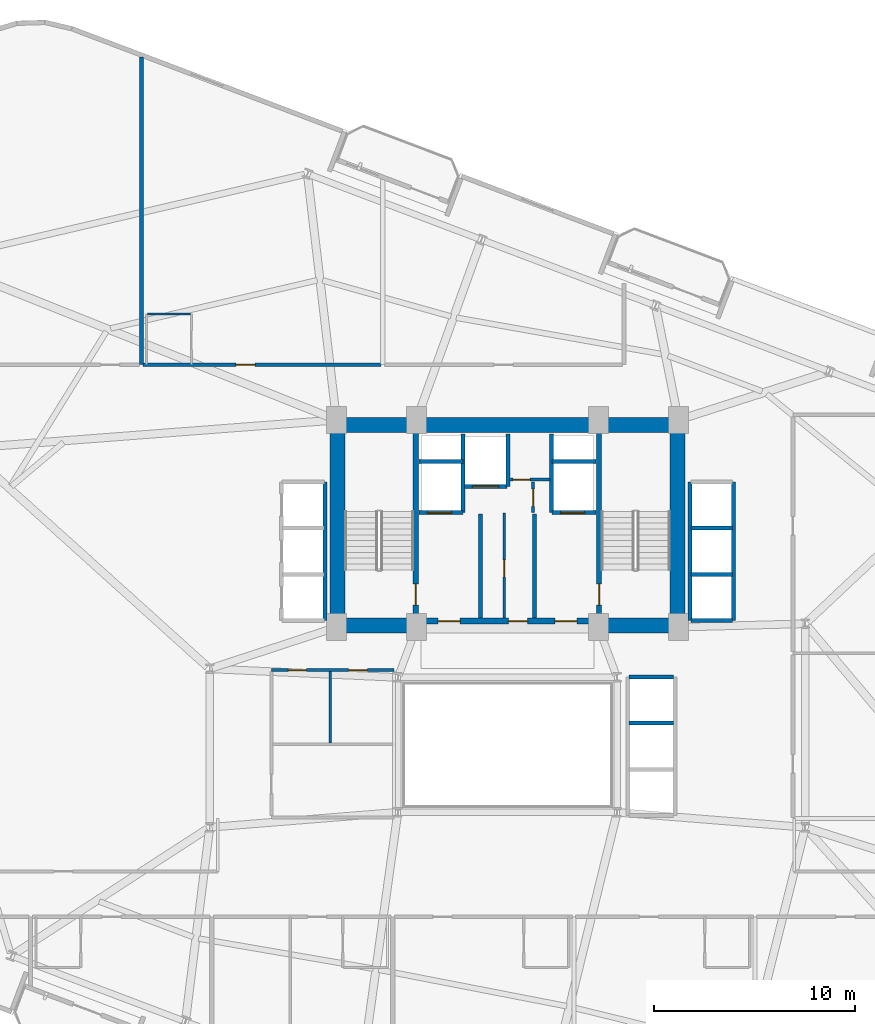
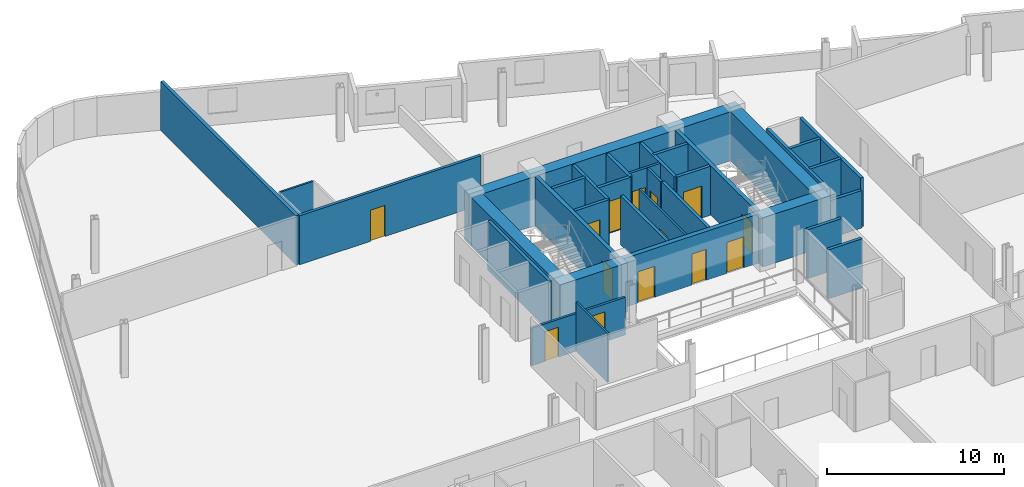
# One storey, part 20 of 25: 34 walls, 14 doors, 14 openings.
"""IFC4 building model written with IfcOpenShell, lengths in metres."""

from ifc_helpers import new_model, si_unit, direction, frame, frame_2d, origin, place, context, subcontext, project, spatial, rectangle, extrude, material, layer, layer_set, type_object, element, fill, save


model = new_model("IFC4")

# Units and contexts
model_context = context("Model", 3, precision=1e-05, world=origin(), true_north=direction((0.0, 1.0)))
body_context = subcontext(model_context, "Body", "Model", "MODEL_VIEW")
ifc_project = project(units=[si_unit("LENGTHUNIT", "METRE"), si_unit("AREAUNIT", "SQUARE_METRE"), si_unit("VOLUMEUNIT", "CUBIC_METRE"), si_unit("PLANEANGLEUNIT", "RADIAN"), si_unit("MASSUNIT", "GRAM", prefix="KILO")], contexts=[model_context])

# Site, building, storey
site_placement = place(None, origin())
site = spatial("IfcSite", under=ifc_project, at=site_placement, CompositionType="ELEMENT")
building_placement = place(site_placement, origin())
building = spatial("IfcBuilding", under=site, at=building_placement, Name="Varnelok Gate Tower", CompositionType="ELEMENT")
storey_placement = place(building_placement, frame((0.0, 0.0, 113.199951171875)))
storey = spatial("IfcBuildingStorey", under=building, at=storey_placement, Name="L28", CompositionType="ELEMENT", Elevation=113.199951171875)

# Wall, opening, door
ifc_material_1 = material(Name="Gypsum Plasterboard Acoustic Partition", Category="gypsum")
ifc_layer_1 = layer(ifc_material_1, 0.179931640625)
ifc_layer_set_1 = layer_set([ifc_layer_1], Name="Gypsum Plasterboard Acoustic Partition")
wall_type_1 = type_object("IfcWallType", Name="PW-CORR-180", PredefinedType="PARTITIONING", material=ifc_layer_set_1)
wall_1_placement = place(storey_placement, frame((21.080078125, 41.800048828125, 0.0), z_axis=(0.0, 0.0, 1.0), x_axis=(1.0, 0.0, 0.0)))
wall_1 = element("IfcWall", 1, at=wall_1_placement, inside=storey, type_object=wall_type_1, Name="Interior Partition", PredefinedType="PARTITIONING", context=body_context, shape_type="SweptSolid", body=[
    extrude(rectangle(XDim=11.83984375, YDim=0.179931640625, at=frame_2d((5.919921875, 0.0))), origin(), (0.0, 0.0, 1.0), 3.380126953125),
])
opening_1_placement = place(wall_1_placement, frame((4.625, 0.0, 0.0)))
opening_1 = element("IfcOpeningElement", 2, at=opening_1_placement, cuts=wall_1, Name="Opening D-HT", PredefinedType="OPENING", context=body_context, shape_type="SweptSolid", body=[
    extrude(rectangle(XDim=0.949951171875, YDim=2.14990234375, at=frame_2d((0.47509765625, 1.074951171875))), frame((0.0, 0.099853515625, 0.0), z_axis=(0.0, -1.0, 0.0), x_axis=(1.0, 0.0, 0.0)), (0.0, 0.0, 1.0), 0.199951171875),
])
ifc_material_2 = material(Name="Engineered Hardwood Timber", Category="wood")
door_type_1 = type_object("IfcDoorType", Name="DR-HTL-950", OperationType="NOTDEFINED", PredefinedType="DOOR", material=ifc_material_2)
door_1_placement = place(opening_1_placement, origin())
door_1 = element("IfcDoor", 3, at=door_1_placement, inside=storey, type_object=door_type_1, Name="L28 Guest Room 09 Entrance Door", OperationType="SINGLE_SWING_RIGHT", OverallHeight=2.14990234375, OverallWidth=0.949951171875, PredefinedType="DOOR", context=body_context, shape_type="SweptSolid", body=[
    extrude(rectangle(XDim=0.949951171875, YDim=2.14990234375, at=frame_2d((0.47509765625, 1.074951171875))), frame((0.0, 0.02490234375, 0.0), z_axis=(0.0, -1.0, 0.0), x_axis=(1.0, 0.0, 0.0)), (0.0, 0.0, 1.0), 0.050048828125),
])
fill(opening_1, door_1)

# Wall
ifc_layer_2 = layer(ifc_material_1, 0.114990234375)
ifc_layer_set_2 = layer_set([ifc_layer_2], Name="Gypsum Plasterboard Acoustic Partition")
wall_type_2 = type_object("IfcWallType", Name="PW-ENS-125", PredefinedType="PARTITIONING", material=ifc_layer_set_2)
wall_2_placement = place(storey_placement, frame((21.300048828125, 44.320068359375, 0.0), z_axis=(0.0, 0.0, 1.0), x_axis=(1.0, 0.0, 0.0)))
element("IfcWall", 4, at=wall_2_placement, inside=storey, type_object=wall_type_2, Name="Interior Partition", PredefinedType="PARTITIONING", context=body_context, shape_type="SweptSolid", body=[
    extrude(rectangle(XDim=2.14990234375, YDim=0.114990234375, at=frame_2d((1.074951171875, 0.0))), origin(), (0.0, 0.0, 1.0), 3.380126953125),
])

# Wall, opening, door
ifc_layer_3 = layer(ifc_material_1, 0.125)
ifc_layer_set_3 = layer_set([ifc_layer_3], Name="Gypsum Plasterboard Acoustic Partition")
wall_type_3 = type_object("IfcWallType", Name="PW-PART-125", PredefinedType="PARTITIONING", material=ifc_layer_set_3)
wall_3_placement = place(storey_placement, frame((39.050048828125, 29.199951171875, 0.0), z_axis=(0.0, 0.0, 1.0), x_axis=(0.0, 1.0, 0.0)))
wall_3 = element("IfcWall", 5, at=wall_3_placement, inside=storey, type_object=wall_type_3, Name="Interior Partition", PredefinedType="PARTITIONING", context=body_context, shape_type="SweptSolid", body=[
    extrude(rectangle(XDim=5.219970703125, YDim=0.125, at=frame_2d((2.60986328125, 0.0))), origin(), (0.0, 0.0, 1.0), 3.380126953125),
])
opening_2_placement = place(wall_3_placement, frame((2.050048828125, 0.0, 0.0)))
opening_2 = element("IfcOpeningElement", 6, at=opening_2_placement, cuts=wall_3, Name="Opening D-RS", PredefinedType="OPENING", context=body_context, shape_type="SweptSolid", body=[
    extrude(rectangle(XDim=0.85009765625, YDim=2.050048828125, at=frame_2d((0.425048828125, 1.02490234375))), frame((0.0, 0.072509765625, 0.0), z_axis=(0.0, -1.0, 0.0), x_axis=(1.0, 0.0, 0.0)), (0.0, 0.0, 1.0), 0.14501953125),
])
ifc_material_3 = material(Name="Galvanized Steel Grade S350GD", Category="steel")
door_type_2 = type_object("IfcDoorType", Name="DR-RISER-850", OperationType="NOTDEFINED", PredefinedType="DOOR", material=ifc_material_3)
door_2_placement = place(opening_2_placement, origin())
door_2 = element("IfcDoor", 7, at=door_2_placement, inside=storey, type_object=door_type_2, Name="L28 Housekeeping Linen Door", OperationType="SINGLE_SWING_LEFT", OverallHeight=2.050048828125, OverallWidth=0.85009765625, PredefinedType="DOOR", context=body_context, shape_type="SweptSolid", body=[
    extrude(rectangle(XDim=0.85009765625, YDim=2.050048828125, at=frame_2d((0.425048828125, 1.02490234375))), frame((0.0, 0.02490234375, 0.0), z_axis=(0.0, -1.0, 0.0), x_axis=(1.0, 0.0, 0.0)), (0.0, 0.0, 1.0), 0.050048828125),
])
fill(opening_2, door_2)

# Wall
wall_4_placement = place(storey_placement, frame((30.39990234375, 23.0, 0.0), z_axis=(0.0, 0.0, 1.0), x_axis=(0.0, 1.0, 0.0)))
element("IfcWall", 8, at=wall_4_placement, inside=storey, type_object=wall_type_3, Name="Interior Partition", PredefinedType="PARTITIONING", context=body_context, shape_type="SweptSolid", body=[
    extrude(rectangle(XDim=3.5400390625, YDim=0.125, at=frame_2d((1.77001953125, 0.0))), origin(), (0.0, 0.0, 1.0), 3.380126953125),
])

# Wall, opening, door
ifc_layer_4 = layer(ifc_material_1, 0.14990234375)
ifc_layer_set_4 = layer_set([ifc_layer_4], Name="Gypsum Plasterboard Acoustic Partition")
wall_type_4 = type_object("IfcWallType", Name="PW-PART-150", PredefinedType="PARTITIONING", material=ifc_layer_set_4)
wall_5_placement = place(storey_placement, frame((39.300048828125, 36.080078125, 0.0), z_axis=(0.0, 0.0, 1.0), x_axis=(1.0, 0.0, 0.0)))
wall_5 = element("IfcWall", 9, at=wall_5_placement, inside=storey, type_object=wall_type_4, Name="L28 Electrical Closet South Wall", PredefinedType="PARTITIONING", context=body_context, shape_type="SweptSolid", body=[
    extrude(rectangle(XDim=2.02001953125, YDim=0.14990234375, at=frame_2d((1.010009765625, 0.0))), origin(), (0.0, 0.0, 1.0), 3.380126953125),
])
opening_3_placement = place(wall_5_placement, frame((0.179931640625, 0.0, 0.0)))
opening_3 = element("IfcOpeningElement", 10, at=opening_3_placement, cuts=wall_5, Name="Opening D-RS", PredefinedType="OPENING", context=body_context, shape_type="SweptSolid", body=[
    extrude(rectangle(XDim=0.85009765625, YDim=2.050048828125, at=frame_2d((0.425048828125, 1.02490234375))), frame((0.0, 0.0849609375, 0.0), z_axis=(0.0, -1.0, 0.0), x_axis=(1.0, 0.0, 0.0)), (0.0, 0.0, 1.0), 0.169921875),
])
door_3_placement = place(opening_3_placement, origin())
door_3 = element("IfcDoor", 11, at=door_3_placement, inside=storey, type_object=door_type_2, Name="L28 Electrical Closet Door", OperationType="SINGLE_SWING_RIGHT", OverallHeight=2.050048828125, OverallWidth=0.85009765625, PredefinedType="DOOR", context=body_context, shape_type="SweptSolid", body=[
    extrude(rectangle(XDim=0.85009765625, YDim=2.050048828125, at=frame_2d((0.425048828125, 1.02490234375))), frame((0.0, 0.02490234375, 0.0), z_axis=(0.0, -1.0, 0.0), x_axis=(1.0, 0.0, 0.0)), (0.0, 0.0, 1.0), 0.050048828125),
])
fill(opening_3, door_3)

wall_6_placement = place(storey_placement, frame((40.47998046875, 34.43994140625, 0.0), z_axis=(0.0, 0.0, 1.0), x_axis=(0.0, 1.0, 0.0)))
wall_6 = element("IfcWall", 12, at=wall_6_placement, inside=storey, type_object=wall_type_4, Name="L28 Telecoms Closet West Wall", PredefinedType="PARTITIONING", context=body_context, shape_type="SweptSolid", body=[
    extrude(rectangle(XDim=1.52001953125, YDim=0.14990234375, at=frame_2d((0.760009765625, 0.0))), origin(), (0.0, 0.0, 1.0), 3.380126953125),
])
opening_4_placement = place(wall_6_placement, frame((0.320068359375, 0.0, 0.0)))
opening_4 = element("IfcOpeningElement", 13, at=opening_4_placement, cuts=wall_6, Name="Opening D-RS", PredefinedType="OPENING", context=body_context, shape_type="SweptSolid", body=[
    extrude(rectangle(XDim=0.85009765625, YDim=2.050048828125, at=frame_2d((0.425048828125, 1.02490234375))), frame((0.0, 0.0849609375, 0.0), z_axis=(0.0, -1.0, 0.0), x_axis=(1.0, 0.0, 0.0)), (0.0, 0.0, 1.0), 0.169921875),
])
door_4_placement = place(opening_4_placement, origin())
door_4 = element("IfcDoor", 14, at=door_4_placement, inside=storey, type_object=door_type_2, Name="L28 Telecoms Closet Door", OperationType="SINGLE_SWING_LEFT", OverallHeight=2.050048828125, OverallWidth=0.85009765625, PredefinedType="DOOR", context=body_context, shape_type="SweptSolid", body=[
    extrude(rectangle(XDim=0.85009765625, YDim=2.050048828125, at=frame_2d((0.425048828125, 1.02490234375))), frame((0.0, 0.02490234375, 0.0), z_axis=(0.0, -1.0, 0.0), x_axis=(1.0, 0.0, 0.0)), (0.0, 0.0, 1.0), 0.050048828125),
])
fill(opening_4, door_4)

# Wall, openings, doors
wall_7_placement = place(storey_placement, frame((27.4599609375, 26.6201171875, 0.0), z_axis=(0.0, 0.0, 1.0), x_axis=(1.0, 0.0, 0.0)))
wall_7 = element("IfcWall", 15, at=wall_7_placement, inside=storey, type_object=wall_type_4, Name="Interior Partition", PredefinedType="PARTITIONING", context=body_context, shape_type="SweptSolid", body=[
    extrude(rectangle(XDim=6.10009765625, YDim=0.14990234375, at=frame_2d((3.050048828125, 0.0))), origin(), (0.0, 0.0, 1.0), 2.592041015625),
])
opening_5_placement = place(wall_7_placement, frame((0.85009765625, 0.0, 0.0)))
opening_5 = element("IfcOpeningElement", 16, at=opening_5_placement, cuts=wall_7, Name="Opening D-WC", PredefinedType="OPENING", context=body_context, shape_type="SweptSolid", body=[
    extrude(rectangle(XDim=0.89990234375, YDim=2.050048828125, at=frame_2d((0.449951171875, 1.02490234375))), frame((0.0, 0.0849609375, 0.0), z_axis=(0.0, -1.0, 0.0), x_axis=(1.0, 0.0, 0.0)), (0.0, 0.0, 1.0), 0.169921875),
])
opening_6_placement = place(wall_7_placement, frame((3.85009765625, 0.0, 0.0)))
opening_6 = element("IfcOpeningElement", 17, at=opening_6_placement, cuts=wall_7, Name="Opening D-I3", PredefinedType="OPENING", context=body_context, shape_type="SweptSolid", body=[
    extrude(rectangle(XDim=0.919921875, YDim=2.050048828125, at=frame_2d((0.4599609375, 1.02490234375))), frame((0.0, 0.0849609375, 0.0), z_axis=(0.0, -1.0, 0.0), x_axis=(1.0, 0.0, 0.0)), (0.0, 0.0, 1.0), 0.169921875),
])
door_type_3 = type_object("IfcDoorType", Name="DR-BATH-900", OperationType="NOTDEFINED", PredefinedType="DOOR", material=ifc_material_2)
door_5_placement = place(opening_5_placement, origin())
door_5 = element("IfcDoor", 18, at=door_5_placement, inside=storey, type_object=door_type_3, Name="L28 Accessible Floor WC Door", OperationType="SINGLE_SWING_RIGHT", OverallHeight=2.050048828125, OverallWidth=0.89990234375, PredefinedType="DOOR", context=body_context, shape_type="SweptSolid", body=[
    extrude(rectangle(XDim=0.89990234375, YDim=2.050048828125, at=frame_2d((0.449951171875, 1.02490234375))), frame((0.0, 0.02490234375, 0.0), z_axis=(0.0, -1.0, 0.0), x_axis=(1.0, 0.0, 0.0)), (0.0, 0.0, 1.0), 0.050048828125),
])
fill(opening_5, door_5)
door_type_4 = type_object("IfcDoorType", Name="DR-INT-920", OperationType="NOTDEFINED", PredefinedType="DOOR", material=ifc_material_2)
door_6_placement = place(opening_6_placement, origin())
door_6 = element("IfcDoor", 19, at=door_6_placement, inside=storey, type_object=door_type_4, Name="L28 Cleaner Supply Door", OperationType="SINGLE_SWING_LEFT", OverallHeight=2.050048828125, OverallWidth=0.919921875, PredefinedType="DOOR", context=body_context, shape_type="SweptSolid", body=[
    extrude(rectangle(XDim=0.919921875, YDim=2.050048828125, at=frame_2d((0.4599609375, 1.02490234375))), frame((0.0, 0.02490234375, 0.0), z_axis=(0.0, -1.0, 0.0), x_axis=(1.0, 0.0, 0.0)), (0.0, 0.0, 1.0), 0.050048828125),
])
fill(opening_6, door_6)

# Walls
ifc_layer_5 = layer(ifc_material_1, 0.205078125)
ifc_layer_set_5 = layer_set([ifc_layer_5], Name="Gypsum Plasterboard Acoustic Partition")
wall_type_5 = type_object("IfcWallType", Name="PW-PARTY-200", PredefinedType="PARTITIONING", material=ifc_layer_set_5)
wall_8_placement = place(storey_placement, frame((21.0, 41.800048828125, 0.0), z_axis=(0.0, 0.0, 1.0), x_axis=(0.0, 1.0, 0.0)))
element("IfcWall", 20, at=wall_8_placement, inside=storey, type_object=wall_type_5, Name="L28 North Party Wall 1", PredefinedType="PARTITIONING", context=body_context, shape_type="SweptSolid", body=[
    extrude(rectangle(XDim=15.28466796875, YDim=0.205078125, at=frame_2d((7.642333984375, 0.0))), origin(), (0.0, 0.0, 1.0), 3.380126953125),
])
ifc_material_4 = material(Name="Concrete C35/45", Category="concrete")
ifc_layer_6 = layer(ifc_material_4, 0.199951171875)
ifc_layer_set_6 = layer_set([ifc_layer_6], Name="Concrete C35/45")
wall_type_6 = type_object("IfcWallType", Name="PW-SHAFT-200", PredefinedType="PARTITIONING", material=ifc_layer_set_6)
for number, where, z_axis, x_axis, name in (
    (21, (37.860107421875, 29.199951171875, 0.0), (0.0, 0.0, 1.0), (0.0, 1.0, 0.0), "L28 West FF Lobby Rated Wall"),
    (22, (40.5400390625, 29.199951171875, 0.0), (0.0, 0.0, 1.0), (0.0, 1.0, 0.0), "L28 East FF Lobby Rated Wall"),
):
    element("IfcWall", number, at=place(storey_placement, frame(where, z_axis=z_axis, x_axis=x_axis)), inside=storey, type_object=wall_type_6, Name=name, PredefinedType="PARTITIONING", context=body_context, shape_type="SweptSolid", body=[
        extrude(rectangle(XDim=5.179931640625, YDim=0.199951171875, at=frame_2d((2.58984375, 0.0))), origin(), (0.0, 0.0, 1.0), 3.380126953125),
    ])

# Wall, opening, door
wall_9_placement = place(storey_placement, frame((34.800048828125, 34.43994140625, 0.0), z_axis=(0.0, 0.0, 1.0), x_axis=(1.0, 0.0, 0.0)))
wall_9 = element("IfcWall", 23, at=wall_9_placement, inside=storey, type_object=wall_type_6, Name="L28 FF1 Shaft Front Wall", PredefinedType="PARTITIONING", context=body_context, shape_type="SweptSolid", body=[
    extrude(rectangle(XDim=2.179931640625, YDim=0.199951171875, at=frame_2d((1.08984375, 0.0))), origin(), (0.0, 0.0, 1.0), 3.380126953125),
])
opening_7_placement = place(wall_9_placement, frame((0.419921875, 0.0, 0.0)))
opening_7 = element("IfcOpeningElement", 24, at=opening_7_placement, cuts=wall_9, Name="Opening LD-FF1", PredefinedType="OPENING", context=body_context, shape_type="SweptSolid", body=[
    extrude(rectangle(XDim=1.199951171875, YDim=2.199951171875, at=frame_2d((0.60009765625, 1.10009765625))), frame((0.0, 0.10986328125, 0.0), z_axis=(0.0, -1.0, 0.0), x_axis=(1.0, 0.0, 0.0)), (0.0, 0.0, 1.0), 0.219970703125),
])
door_type_5 = type_object("IfcDoorType", Name="DR-LIFT-FF1200", OperationType="SLIDING_TO_LEFT", PredefinedType="DOOR", material=ifc_material_3)
door_7_placement = place(opening_7_placement, origin())
door_7 = element("IfcDoor", 25, at=door_7_placement, inside=storey, type_object=door_type_5, Name="L28 Firefighting Lift Landing Door LD-FF1", OperationType="SLIDING_TO_LEFT", OverallHeight=2.199951171875, OverallWidth=1.199951171875, PredefinedType="DOOR", context=body_context, shape_type="SweptSolid", body=[
    extrude(rectangle(XDim=1.199951171875, YDim=2.199951171875, at=frame_2d((0.60009765625, 1.10009765625))), frame((0.0, 0.02490234375, 0.0), z_axis=(0.0, -1.0, 0.0), x_axis=(1.0, 0.0, 0.0)), (0.0, 0.0, 1.0), 0.050048828125),
])
fill(opening_7, door_7)

# Walls
wall_10_placement = place(storey_placement, frame((34.800048828125, 36.97998046875, 0.0), z_axis=(0.0, 0.0, 1.0), x_axis=(1.0, 0.0, 0.0)))
element("IfcWall", 26, at=wall_10_placement, inside=storey, type_object=wall_type_6, Name="L28 FF1 Shaft North Wall", PredefinedType="PARTITIONING", context=body_context, shape_type="SweptSolid", body=[
    extrude(rectangle(XDim=2.179931640625, YDim=0.199951171875, at=frame_2d((1.08984375, 0.0))), origin(), (0.0, 0.0, 1.0), 3.380126953125),
])
wall_11_placement = place(storey_placement, frame((37.0, 34.43994140625, 0.0), z_axis=(0.0, 0.0, 1.0), x_axis=(0.0, 1.0, 0.0)))
element("IfcWall", 27, at=wall_11_placement, inside=storey, type_object=wall_type_6, Name="L28 FF1 Shaft Side Wall", PredefinedType="PARTITIONING", context=body_context, shape_type="SweptSolid", body=[
    extrude(rectangle(XDim=3.900146484375, YDim=0.199951171875, at=frame_2d((1.9501953125, 0.0))), origin(), (0.0, 0.0, 1.0), 3.380126953125),
])

# Wall, opening, door
wall_12_placement = place(storey_placement, frame((41.419921875, 34.43994140625, 0.0), z_axis=(0.0, 0.0, 1.0), x_axis=(1.0, 0.0, 0.0)))
wall_12 = element("IfcWall", 28, at=wall_12_placement, inside=storey, type_object=wall_type_6, Name="L28 FF2 Shaft Front Wall", PredefinedType="PARTITIONING", context=body_context, shape_type="SweptSolid", body=[
    extrude(rectangle(XDim=2.18017578125, YDim=0.199951171875, at=frame_2d((1.090087890625, 0.0))), origin(), (0.0, 0.0, 1.0), 3.380126953125),
])
opening_8_placement = place(wall_12_placement, frame((0.419921875, 0.0, 0.0)))
opening_8 = element("IfcOpeningElement", 29, at=opening_8_placement, cuts=wall_12, Name="Opening LD-FF2", PredefinedType="OPENING", context=body_context, shape_type="SweptSolid", body=[
    extrude(rectangle(XDim=1.199951171875, YDim=2.199951171875, at=frame_2d((0.60009765625, 1.10009765625))), frame((0.0, 0.10986328125, 0.0), z_axis=(0.0, -1.0, 0.0), x_axis=(1.0, 0.0, 0.0)), (0.0, 0.0, 1.0), 0.219970703125),
])
door_8_placement = place(opening_8_placement, origin())
door_8 = element("IfcDoor", 30, at=door_8_placement, inside=storey, type_object=door_type_5, Name="L28 Firefighting Lift Landing Door LD-FF2", OperationType="SLIDING_TO_LEFT", OverallHeight=2.199951171875, OverallWidth=1.199951171875, PredefinedType="DOOR", context=body_context, shape_type="SweptSolid", body=[
    extrude(rectangle(XDim=1.199951171875, YDim=2.199951171875, at=frame_2d((0.60009765625, 1.10009765625))), frame((0.0, 0.02490234375, 0.0), z_axis=(0.0, -1.0, 0.0), x_axis=(1.0, 0.0, 0.0)), (0.0, 0.0, 1.0), 0.050048828125),
])
fill(opening_8, door_8)

# Walls
wall_13_placement = place(storey_placement, frame((41.419921875, 36.97998046875, 0.0), z_axis=(0.0, 0.0, 1.0), x_axis=(1.0, 0.0, 0.0)))
element("IfcWall", 31, at=wall_13_placement, inside=storey, type_object=wall_type_6, Name="L28 FF2 Shaft North Wall", PredefinedType="PARTITIONING", context=body_context, shape_type="SweptSolid", body=[
    extrude(rectangle(XDim=2.18017578125, YDim=0.199951171875, at=frame_2d((1.090087890625, 0.0))), origin(), (0.0, 0.0, 1.0), 3.380126953125),
])
wall_14_placement = place(storey_placement, frame((41.39990234375, 34.43994140625, 0.0), z_axis=(0.0, 0.0, 1.0), x_axis=(0.0, 1.0, 0.0)))
element("IfcWall", 32, at=wall_14_placement, inside=storey, type_object=wall_type_6, Name="L28 FF2 Shaft Side Wall", PredefinedType="PARTITIONING", context=body_context, shape_type="SweptSolid", body=[
    extrude(rectangle(XDim=3.900146484375, YDim=0.199951171875, at=frame_2d((1.9501953125, 0.0))), origin(), (0.0, 0.0, 1.0), 3.380126953125),
])

# Wall, opening, door
wall_15_placement = place(storey_placement, frame((37.06005859375, 35.75, 0.0), z_axis=(0.0, 0.0, 1.0), x_axis=(1.0, 0.0, 0.0)))
wall_15 = element("IfcWall", 33, at=wall_15_placement, inside=storey, type_object=wall_type_6, Name="L28 SV1 Shaft Front Wall", PredefinedType="PARTITIONING", context=body_context, shape_type="SweptSolid", body=[
    extrude(rectangle(XDim=2.119873046875, YDim=0.199951171875, at=frame_2d((1.06005859375, 0.0))), origin(), (0.0, 0.0, 1.0), 3.380126953125),
])
opening_9_placement = place(wall_15_placement, frame((0.39990234375, 0.0, 0.0)))
opening_9 = element("IfcOpeningElement", 34, at=opening_9_placement, cuts=wall_15, Name="Opening LD-SV1", PredefinedType="OPENING", context=body_context, shape_type="SweptSolid", body=[
    extrude(rectangle(XDim=1.300048828125, YDim=2.199951171875, at=frame_2d((0.64990234375, 1.10009765625))), frame((0.0, 0.10986328125, 0.0), z_axis=(0.0, -1.0, 0.0), x_axis=(1.0, 0.0, 0.0)), (0.0, 0.0, 1.0), 0.219970703125),
])
door_type_6 = type_object("IfcDoorType", Name="DR-LIFT-SV1300", OperationType="SLIDING_TO_LEFT", PredefinedType="DOOR", material=ifc_material_3)
door_9_placement = place(opening_9_placement, origin())
door_9 = element("IfcDoor", 35, at=door_9_placement, inside=storey, type_object=door_type_6, Name="L28 Service Lift Landing Door LD-SV1", OperationType="SLIDING_TO_LEFT", OverallHeight=2.199951171875, OverallWidth=1.300048828125, PredefinedType="DOOR", context=body_context, shape_type="SweptSolid", body=[
    extrude(rectangle(XDim=1.300048828125, YDim=2.199951171875, at=frame_2d((0.64990234375, 1.10009765625))), frame((0.0, 0.02490234375, 0.0), z_axis=(0.0, -1.0, 0.0), x_axis=(1.0, 0.0, 0.0)), (0.0, 0.0, 1.0), 0.050048828125),
])
fill(opening_9, door_9)

# Walls
wall_16_placement = place(storey_placement, frame((39.219970703125, 35.75, 0.0), z_axis=(0.0, 0.0, 1.0), x_axis=(0.0, 1.0, 0.0)))
element("IfcWall", 36, at=wall_16_placement, inside=storey, type_object=wall_type_6, Name="L28 SV1 Shaft East Wall", PredefinedType="PARTITIONING", context=body_context, shape_type="SweptSolid", body=[
    extrude(rectangle(XDim=2.590087890625, YDim=0.199951171875, at=frame_2d((1.294921875, 0.0))), origin(), (0.0, 0.0, 1.0), 3.380126953125),
])
wall_17_placement = place(storey_placement, frame((30.1201171875, 29.080078125, 0.0), z_axis=(0.0, 0.0, 1.0), x_axis=(0.0, 1.0, 0.0)))
element("IfcWall", 37, at=wall_17_placement, inside=storey, type_object=wall_type_6, Name="L28 PL Bank Back Wall", PredefinedType="PARTITIONING", context=body_context, shape_type="SweptSolid", body=[
    extrude(rectangle(XDim=6.889892578125, YDim=0.199951171875, at=frame_2d((3.44482421875, 0.0))), origin(), (0.0, 0.0, 1.0), 3.380126953125),
])
for number, where, z_axis, x_axis, name in (
    (38, (48.320068359375, 31.375, 0.0), (0.0, 0.0, 1.0), (1.0, 0.0, 0.0), "L28 PM1 Divider"),
    (39, (48.320068359375, 33.675048828125, 0.0), (0.0, 0.0, 1.0), (1.0, 0.0, 0.0), "L28 PM2 Divider"),
):
    element("IfcWall", number, at=place(storey_placement, frame(where, z_axis=z_axis, x_axis=x_axis)), inside=storey, type_object=wall_type_6, Name=name, PredefinedType="PARTITIONING", context=body_context, shape_type="SweptSolid", body=[
        extrude(rectangle(XDim=2.059814453125, YDim=0.199951171875, at=frame_2d((1.02978515625, 0.0))), origin(), (0.0, 0.0, 1.0), 3.380126953125),
    ])
wall_18_placement = place(storey_placement, frame((48.320068359375, 29.080078125, 0.0), z_axis=(0.0, 0.0, 1.0), x_axis=(1.0, 0.0, 0.0)))
element("IfcWall", 40, at=wall_18_placement, inside=storey, type_object=wall_type_6, Name="L28 PM Bank South Wall", PredefinedType="PARTITIONING", context=body_context, shape_type="SweptSolid", body=[
    extrude(rectangle(XDim=2.059814453125, YDim=0.199951171875, at=frame_2d((1.02978515625, 0.0))), origin(), (0.0, 0.0, 1.0), 2.592041015625),
])
for number, where, z_axis, x_axis, name in (
    (41, (48.280029296875, 29.080078125, 0.0), (0.0, 0.0, 1.0), (0.0, 1.0, 0.0), "L28 PM Bank Back Wall"),
    (42, (50.43994140625, 29.080078125, 0.0), (0.0, 0.0, 1.0), (0.0, 1.0, 0.0), "L28 PM Bank Front Wall"),
):
    element("IfcWall", number, at=place(storey_placement, frame(where, z_axis=z_axis, x_axis=x_axis)), inside=storey, type_object=wall_type_6, Name=name, PredefinedType="PARTITIONING", context=body_context, shape_type="SweptSolid", body=[
        extrude(rectangle(XDim=6.889892578125, YDim=0.199951171875, at=frame_2d((3.44482421875, 0.0))), origin(), (0.0, 0.0, 1.0), 3.380126953125),
    ])
for number, where, z_axis, x_axis, name in (
    (43, (45.239990234375, 23.97509765625, 0.0), (0.0, 0.0, 1.0), (1.0, 0.0, 0.0), "L28 PH2 Divider"),
    (44, (45.239990234375, 26.280029296875, 0.0), (0.0, 0.0, 1.0), (1.0, 0.0, 0.0), "L28 PH Bank North Wall"),
):
    element("IfcWall", number, at=place(storey_placement, frame(where, z_axis=z_axis, x_axis=x_axis)), inside=storey, type_object=wall_type_6, Name=name, PredefinedType="PARTITIONING", context=body_context, shape_type="SweptSolid", body=[
        extrude(rectangle(XDim=2.219970703125, YDim=0.199951171875, at=frame_2d((1.10986328125, 0.0))), origin(), (0.0, 0.0, 1.0), 3.380126953125),
    ])
ifc_material_5 = material(Name="Concrete C70/85", Category="concrete")
ifc_layer_7 = layer(ifc_material_5, 0.75)
ifc_layer_set_7 = layer_set([ifc_layer_7], Name="Concrete C70/85")
wall_type_7 = type_object("IfcWallType", Name="SW-CORE-750", PredefinedType="SHEAR", material=ifc_layer_set_7)
wall_19_placement = place(storey_placement, frame((30.3798828125, 38.794921875, 0.0), z_axis=(0.0, 0.0, 1.0), x_axis=(1.0, 0.0, 0.0)))
element("IfcWall", 45, at=wall_19_placement, inside=storey, type_object=wall_type_7, Name="L28 Rear Core North Shear Wall", PredefinedType="SHEAR", context=body_context, shape_type="SweptSolid", body=[
    extrude(rectangle(XDim=17.64013671875, YDim=0.75, at=frame_2d((8.820068359375, 0.0))), origin(), (0.0, 0.0, 1.0), 3.380126953125),
])
for number, where, z_axis, x_axis, name in (
    (46, (30.7548828125, 29.199951171875, 0.0), (0.0, 0.0, 1.0), (0.0, 1.0, 0.0), "L28 Rear Core West Shear Wall"),
    (47, (47.64501953125, 29.199951171875, 0.0), (0.0, 0.0, 1.0), (0.0, 1.0, 0.0), "L28 Rear Core East Shear Wall"),
):
    element("IfcWall", number, at=place(storey_placement, frame(where, z_axis=z_axis, x_axis=x_axis)), inside=storey, type_object=wall_type_7, Name=name, PredefinedType="SHEAR", context=body_context, shape_type="SweptSolid", body=[
        extrude(rectangle(XDim=9.219970703125, YDim=0.75, at=frame_2d((4.60986328125, 0.0))), origin(), (0.0, 0.0, 1.0), 3.380126953125),
    ])
wall_20_placement = place(storey_placement, frame((30.3798828125, 28.824951171875, 0.0), z_axis=(0.0, 0.0, 1.0), x_axis=(1.0, 0.0, 0.0)))
element("IfcWall", 48, at=wall_20_placement, inside=storey, type_object=wall_type_7, Name="L28 Rear Core South-West Shear Wall", PredefinedType="SHEAR", context=body_context, shape_type="SweptSolid", body=[
    extrude(rectangle(XDim=4.420166015625, YDim=0.75, at=frame_2d((2.2099609375, 0.0))), origin(), (0.0, 0.0, 1.0), 3.380126953125),
])
wall_21_placement = place(storey_placement, frame((43.60009765625, 28.824951171875, 0.0), z_axis=(0.0, 0.0, 1.0), x_axis=(1.0, 0.0, 0.0)))
element("IfcWall", 49, at=wall_21_placement, inside=storey, type_object=wall_type_7, Name="L28 Rear Core South-East Shear Wall", PredefinedType="SHEAR", context=body_context, shape_type="SweptSolid", body=[
    extrude(rectangle(XDim=4.419921875, YDim=0.75, at=frame_2d((2.2099609375, 0.0))), origin(), (0.0, 0.0, 1.0), 3.380126953125),
])

# Wall, opening, door
ifc_material_6 = material(Name="Concrete C60/75", Category="concrete")
ifc_layer_8 = layer(ifc_material_6, 0.25)
ifc_layer_set_8 = layer_set([ifc_layer_8], Name="Concrete C60/75")
wall_type_8 = type_object("IfcWallType", Name="SW-SHAFT-250", PredefinedType="SHEAR", material=ifc_layer_set_8)
wall_22_placement = place(storey_placement, frame((34.639892578125, 29.199951171875, 0.0), z_axis=(0.0, 0.0, 1.0), x_axis=(0.0, 1.0, 0.0)))
wall_22 = element("IfcWall", 50, at=wall_22_placement, inside=storey, type_object=wall_type_8, Name="L28 Stair ST-1 East Shear Wall", PredefinedType="SHEAR", context=body_context, shape_type="SweptSolid", body=[
    extrude(rectangle(XDim=9.219970703125, YDim=0.25, at=frame_2d((4.60986328125, 0.0))), origin(), (0.0, 0.0, 1.0), 3.380126953125),
])
opening_10_placement = place(wall_22_placement, frame((0.64990234375, 0.0, 0.0)))
opening_10 = element("IfcOpeningElement", 51, at=opening_10_placement, cuts=wall_22, Name="Opening D-ST", PredefinedType="OPENING", context=body_context, shape_type="SweptSolid", body=[
    extrude(rectangle(XDim=1.050048828125, YDim=2.14990234375, at=frame_2d((0.52490234375, 1.074951171875))), frame((0.0, 0.135009765625, 0.0), z_axis=(0.0, -1.0, 0.0), x_axis=(1.0, 0.0, 0.0)), (0.0, 0.0, 1.0), 0.27001953125),
])
door_type_7 = type_object("IfcDoorType", Name="DR-STAIR-1050", OperationType="NOTDEFINED", PredefinedType="DOOR", material=ifc_material_3)
door_10_placement = place(opening_10_placement, origin())
door_10 = element("IfcDoor", 52, at=door_10_placement, inside=storey, type_object=door_type_7, Name="L28 Exit Stair ST-1 Fire Door", OperationType="SINGLE_SWING_LEFT", OverallHeight=2.14990234375, OverallWidth=1.050048828125, PredefinedType="DOOR", context=body_context, shape_type="SweptSolid", body=[
    extrude(rectangle(XDim=1.050048828125, YDim=2.14990234375, at=frame_2d((0.52490234375, 1.074951171875))), frame((0.0, 0.02490234375, 0.0), z_axis=(0.0, -1.0, 0.0), x_axis=(1.0, 0.0, 0.0)), (0.0, 0.0, 1.0), 0.050048828125),
])
fill(opening_10, door_10)

wall_23_placement = place(storey_placement, frame((43.760009765625, 29.199951171875, 0.0), z_axis=(0.0, 0.0, 1.0), x_axis=(0.0, 1.0, 0.0)))
wall_23 = element("IfcWall", 53, at=wall_23_placement, inside=storey, type_object=wall_type_8, Name="L28 Stair ST-2 West Shear Wall", PredefinedType="SHEAR", context=body_context, shape_type="SweptSolid", body=[
    extrude(rectangle(XDim=9.219970703125, YDim=0.25, at=frame_2d((4.60986328125, 0.0))), origin(), (0.0, 0.0, 1.0), 3.380126953125),
])
opening_11_placement = place(wall_23_placement, frame((0.64990234375, 0.0, 0.0)))
opening_11 = element("IfcOpeningElement", 54, at=opening_11_placement, cuts=wall_23, Name="Opening D-ST", PredefinedType="OPENING", context=body_context, shape_type="SweptSolid", body=[
    extrude(rectangle(XDim=1.050048828125, YDim=2.14990234375, at=frame_2d((0.52490234375, 1.074951171875))), frame((0.0, 0.135009765625, 0.0), z_axis=(0.0, -1.0, 0.0), x_axis=(1.0, 0.0, 0.0)), (0.0, 0.0, 1.0), 0.27001953125),
])
door_11_placement = place(opening_11_placement, origin())
door_11 = element("IfcDoor", 55, at=door_11_placement, inside=storey, type_object=door_type_7, Name="L28 Exit Stair ST-2 Fire Door", OperationType="SINGLE_SWING_RIGHT", OverallHeight=2.14990234375, OverallWidth=1.050048828125, PredefinedType="DOOR", context=body_context, shape_type="SweptSolid", body=[
    extrude(rectangle(XDim=1.050048828125, YDim=2.14990234375, at=frame_2d((0.52490234375, 1.074951171875))), frame((0.0, 0.02490234375, 0.0), z_axis=(0.0, -1.0, 0.0), x_axis=(1.0, 0.0, 0.0)), (0.0, 0.0, 1.0), 0.050048828125),
])
fill(opening_11, door_11)

# Wall, openings, doors
ifc_layer_9 = layer(ifc_material_6, 0.300048828125)
ifc_layer_set_9 = layer_set([ifc_layer_9], Name="Concrete C60/75")
wall_type_9 = type_object("IfcWallType", Name="SW-SHAFT-300", PredefinedType="SHEAR", material=ifc_layer_set_9)
wall_24_placement = place(storey_placement, frame((34.800048828125, 29.050048828125, 0.0), z_axis=(0.0, 0.0, 1.0), x_axis=(1.0, 0.0, 0.0)))
wall_24 = element("IfcWall", 56, at=wall_24_placement, inside=storey, type_object=wall_type_9, Name="L28 Rear Core Central Lobby Shear Wall", PredefinedType="SHEAR", context=body_context, shape_type="SweptSolid", body=[
    extrude(rectangle(XDim=8.800048828125, YDim=0.300048828125, at=frame_2d((4.39990234375, 0.0))), origin(), (0.0, 0.0, 1.0), 3.380126953125),
])
opening_12_placement = place(wall_24_placement, frame((0.949951171875, 0.0, 0.0)))
opening_12 = element("IfcOpeningElement", 57, at=opening_12_placement, cuts=wall_24, Name="Opening D-FF", PredefinedType="OPENING", context=body_context, shape_type="SweptSolid", body=[
    extrude(rectangle(XDim=1.10009765625, YDim=2.14990234375, at=frame_2d((0.550048828125, 1.074951171875))), frame((0.0, 0.159912109375, 0.0), z_axis=(0.0, -1.0, 0.0), x_axis=(1.0, 0.0, 0.0)), (0.0, 0.0, 1.0), 0.320068359375),
])
opening_13_placement = place(wall_24_placement, frame((6.75, 0.0, 0.0)))
opening_13 = element("IfcOpeningElement", 58, at=opening_13_placement, cuts=wall_24, Name="Opening D-FF", PredefinedType="OPENING", context=body_context, shape_type="SweptSolid", body=[
    extrude(rectangle(XDim=1.10009765625, YDim=2.14990234375, at=frame_2d((0.550048828125, 1.074951171875))), frame((0.0, 0.159912109375, 0.0), z_axis=(0.0, -1.0, 0.0), x_axis=(1.0, 0.0, 0.0)), (0.0, 0.0, 1.0), 0.320068359375),
])
opening_14_placement = place(wall_24_placement, frame((4.449951171875, 0.0, 0.0)))
opening_14 = element("IfcOpeningElement", 59, at=opening_14_placement, cuts=wall_24, Name="Opening D-CR", PredefinedType="OPENING", context=body_context, shape_type="SweptSolid", body=[
    extrude(rectangle(XDim=0.949951171875, YDim=2.14990234375, at=frame_2d((0.47509765625, 1.074951171875))), frame((0.0, 0.159912109375, 0.0), z_axis=(0.0, -1.0, 0.0), x_axis=(1.0, 0.0, 0.0)), (0.0, 0.0, 1.0), 0.320068359375),
])
door_type_8 = type_object("IfcDoorType", Name="DR-CORR-950", OperationType="NOTDEFINED", PredefinedType="DOOR", material=ifc_material_3)
door_12_placement = place(opening_14_placement, origin())
door_12 = element("IfcDoor", 60, at=door_12_placement, inside=storey, type_object=door_type_8, Name="L28 Core Service Passage Door", OperationType="SINGLE_SWING_LEFT", OverallHeight=2.14990234375, OverallWidth=0.949951171875, PredefinedType="DOOR", context=body_context, shape_type="SweptSolid", body=[
    extrude(rectangle(XDim=0.949951171875, YDim=2.14990234375, at=frame_2d((0.47509765625, 1.074951171875))), frame((0.0, 0.02490234375, 0.0), z_axis=(0.0, -1.0, 0.0), x_axis=(1.0, 0.0, 0.0)), (0.0, 0.0, 1.0), 0.050048828125),
])
fill(opening_14, door_12)
door_type_9 = type_object("IfcDoorType", Name="DR-FFLOB-1100", OperationType="NOTDEFINED", PredefinedType="DOOR", material=ifc_material_3)
door_13_placement = place(opening_12_placement, origin())
door_13 = element("IfcDoor", 61, at=door_13_placement, inside=storey, type_object=door_type_9, Name="L28 West Firefighting Lobby Fire Door", OperationType="SINGLE_SWING_RIGHT", OverallHeight=2.14990234375, OverallWidth=1.10009765625, PredefinedType="DOOR", context=body_context, shape_type="SweptSolid", body=[
    extrude(rectangle(XDim=1.10009765625, YDim=2.14990234375, at=frame_2d((0.550048828125, 1.074951171875))), frame((0.0, 0.02490234375, 0.0), z_axis=(0.0, -1.0, 0.0), x_axis=(1.0, 0.0, 0.0)), (0.0, 0.0, 1.0), 0.050048828125),
])
fill(opening_12, door_13)
door_14_placement = place(opening_13_placement, origin())
door_14 = element("IfcDoor", 62, at=door_14_placement, inside=storey, type_object=door_type_9, Name="L28 East Firefighting Lobby Fire Door", OperationType="SINGLE_SWING_LEFT", OverallHeight=2.14990234375, OverallWidth=1.10009765625, PredefinedType="DOOR", context=body_context, shape_type="SweptSolid", body=[
    extrude(rectangle(XDim=1.10009765625, YDim=2.14990234375, at=frame_2d((0.550048828125, 1.074951171875))), frame((0.0, 0.02490234375, 0.0), z_axis=(0.0, -1.0, 0.0), x_axis=(1.0, 0.0, 0.0)), (0.0, 0.0, 1.0), 0.050048828125),
])
fill(opening_13, door_14)

save(model, "model.ifc")
